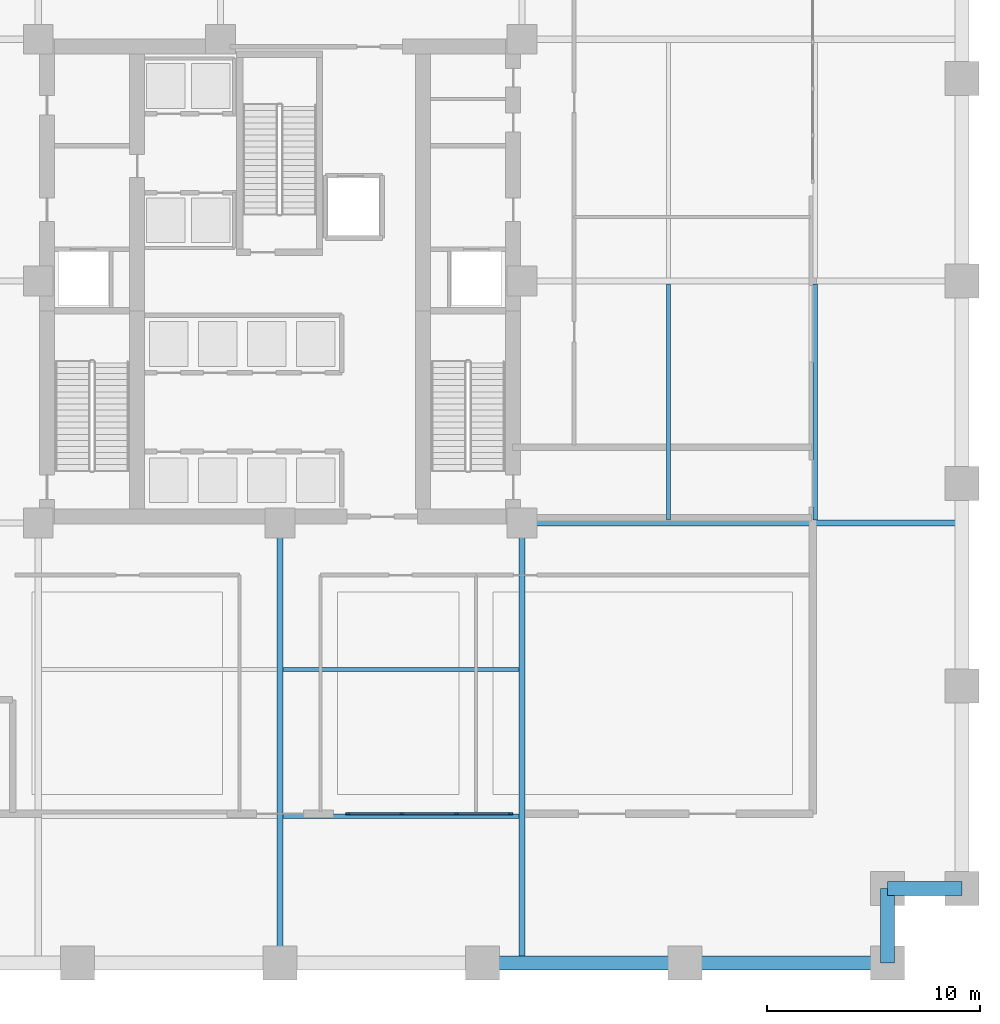
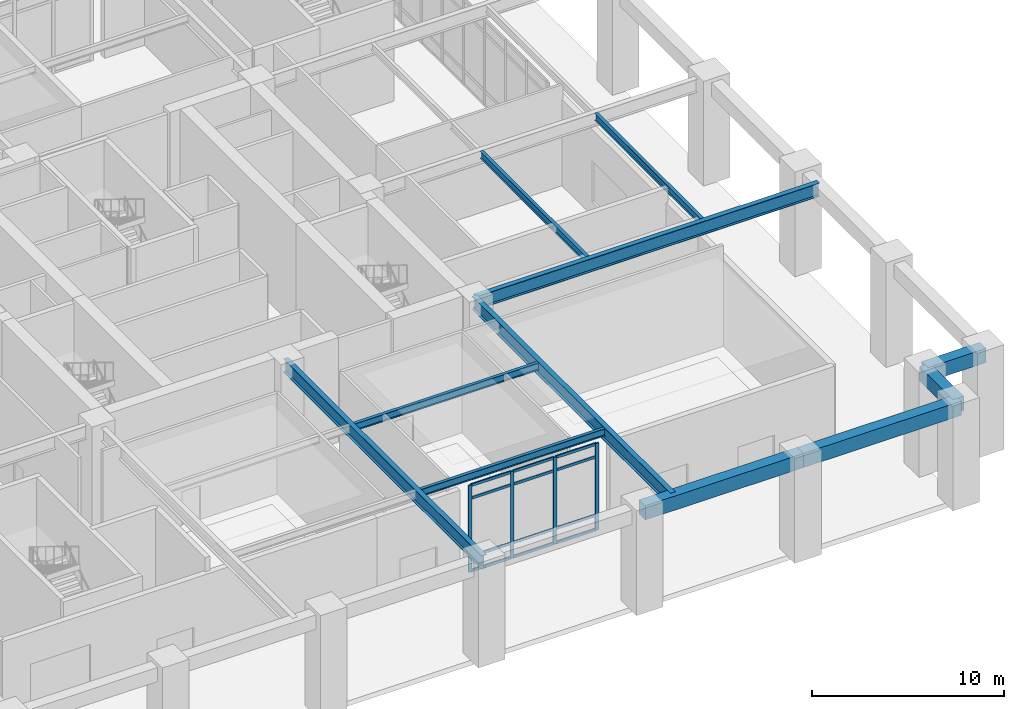
# One storey, part 2 of 17: 16 members, 11 beams, 1 element without a shape of its own.
"""IFC4 building model written with IfcOpenShell, lengths in metres."""

import ifcopenshell
import ifcopenshell.guid

model = None  # the IFC model being written
_history = None  # IfcOwnerHistory: only IFC2X3 demands one
_inside = {}  # id of a spatial element -> (the spatial element, [elements in it])
_under = {}  # id of a project, library or spatial element -> (it, [spatial elements below it])
_declared = {}  # id of a project -> (the project, [libraries it declares])
_typed = {}  # id of a type object -> (the type object, [elements of that type])
_made_of = {}  # id of a material, layer set ... -> (it, [elements and type objects made of it])


def new_model(schema):
    """Start an empty IFC model of exactly this schema.

    Asked for "IFC4X3", IfcOpenShell would pick the latest addendum, in which some entities
    have other attributes; the version numbers below select the first issue.
    IFC2X3 requires an IfcOwnerHistory on every rooted entity: one is made here for all.
    """
    global model, _history
    if schema == "IFC4X3":
        model = ifcopenshell.file(schema_version=(4, 3, 0, 0))
    else:
        model = ifcopenshell.file(schema=schema)
    _inside.clear()
    _under.clear()
    _declared.clear()
    _typed.clear()
    _made_of.clear()
    _history = None
    if model.schema == "IFC2X3":
        org = make("IfcOrganization", Name="unknown")
        user = make(
            "IfcPersonAndOrganization",
            ThePerson=make("IfcPerson", FamilyName="unknown"),
            TheOrganization=org,
        )
        app = make(
            "IfcApplication",
            ApplicationDeveloper=org,
            Version="unknown",
            ApplicationFullName="unknown",
            ApplicationIdentifier="unknown",
        )
        _history = make(
            "IfcOwnerHistory",
            OwningUser=user,
            OwningApplication=app,
            ChangeAction="ADDED",
            CreationDate=0,
        )
    return model


def make(cls, **values):
    """One entity of the class cls with the attributes given. An attribute that is None is left unset."""
    return model.create_entity(
        cls, **{name: value for name, value in values.items() if value is not None}
    )


def rooted(cls, **values):
    """An entity with a GlobalId (a new one), such as an element, a storey or a relation."""
    return make(cls, GlobalId=ifcopenshell.guid.new(), OwnerHistory=_history, **values)


def si_unit(unit_type, name, prefix=None):
    """IfcSIUnit, for example si_unit("LENGTHUNIT", "METRE", prefix="MILLI")."""
    return make("IfcSIUnit", UnitType=unit_type, Prefix=prefix, Name=name)


def assignment(units):
    """IfcUnitAssignment: the units of a project."""
    return None if units is None else make("IfcUnitAssignment", Units=units)


def point(xyz):
    """IfcCartesianPoint."""
    return None if xyz is None else make("IfcCartesianPoint", Coordinates=xyz)


def direction(xyz):
    """IfcDirection."""
    return None if xyz is None else make("IfcDirection", DirectionRatios=xyz)


def frame(location, z_axis=None, x_axis=None):
    """IfcAxis2Placement3D, a coordinate frame: its origin and axes. An axis left out is left unset."""
    return make(
        "IfcAxis2Placement3D",
        Location=point(location),
        Axis=direction(z_axis),
        RefDirection=direction(x_axis),
    )


def frame_2d(location, x_axis=None):
    """IfcAxis2Placement2D, a coordinate frame in the plane: its origin and x axis."""
    return make(
        "IfcAxis2Placement2D", Location=point(location), RefDirection=direction(x_axis)
    )


def origin():
    """The frame at (0, 0, 0) with its axes left unset."""
    return frame((0.0, 0.0, 0.0))


def origin_2d():
    """The frame at (0, 0) in the plane with its x axis left unset."""
    return frame_2d((0.0, 0.0))


def place(relative_to, where):
    """IfcLocalPlacement: puts the frame where relative to a parent placement (None: the world)."""
    return make(
        "IfcLocalPlacement", PlacementRelTo=relative_to, RelativePlacement=where
    )


def context(
    kind, dimensions, precision=None, world=None, true_north=None, identifier=None
):
    """IfcGeometricRepresentationContext, for example the 3D "Model" context."""
    return make(
        "IfcGeometricRepresentationContext",
        ContextIdentifier=identifier,
        ContextType=kind,
        CoordinateSpaceDimension=dimensions,
        Precision=precision,
        WorldCoordinateSystem=world,
        TrueNorth=true_north,
    )


def subcontext(parent, identifier, kind, view, scale=None):
    """IfcGeometricRepresentationSubContext, for example "Body" below "Model"."""
    return make(
        "IfcGeometricRepresentationSubContext",
        ContextIdentifier=identifier,
        ContextType=kind,
        ParentContext=parent,
        TargetScale=scale,
        TargetView=view,
    )


def project(units=None, contexts=None):
    """IfcProject with its units and contexts."""
    return rooted(
        "IfcProject",
        Name="project",
        RepresentationContexts=contexts,
        UnitsInContext=assignment(units),
    )


def spatial(cls, under=None, at=None, **own):
    """A site, building, storey or space (cls), placed at a placement, below another one or the project."""
    s = rooted(cls, ObjectPlacement=at, **own)
    if under is not None:
        _under.setdefault(under.id(), (under, []))[1].append(s)
    return s


def profile(cls, at=None, kind="AREA", **sizes):
    """A parametric profile (cls). Its sizes go by their IFC names, for example OverallWidth=200.0."""
    return make(cls, ProfileType=kind, Position=at, **sizes)


def rectangle(**sizes):
    """IfcRectangleProfileDef."""
    return profile("IfcRectangleProfileDef", **sizes)


def i_section(**sizes):
    """IfcIShapeProfileDef."""
    return profile("IfcIShapeProfileDef", **sizes)


def extrude(swept, where, along, depth):
    """IfcExtrudedAreaSolid: the profile swept, set in the frame where, extruded along a direction by depth."""
    return make(
        "IfcExtrudedAreaSolid",
        SweptArea=swept,
        Position=where,
        ExtrudedDirection=direction(along),
        Depth=depth,
    )


def shape(context_of_items, identifier, shape_type, items):
    """IfcShapeRepresentation: the items that make up one representation, for example the "Body"."""
    return make(
        "IfcShapeRepresentation",
        ContextOfItems=context_of_items,
        RepresentationIdentifier=identifier,
        RepresentationType=shape_type,
        Items=items,
    )


def material(Name=None, Category=None):
    """IfcMaterial."""
    return make("IfcMaterial", Name=Name, Category=Category)


def layer(
    of_material, thickness, ventilated=None, Name=None, Category=None, Priority=None
):
    """IfcMaterialLayer: one layer of a wall or slab, of a material (None: an air gap)."""
    return make(
        "IfcMaterialLayer",
        Material=of_material,
        LayerThickness=thickness,
        IsVentilated=ventilated,
        Name=Name,
        Category=Category,
        Priority=Priority,
    )


def layer_set(layers, Name=None):
    """IfcMaterialLayerSet."""
    return make("IfcMaterialLayerSet", MaterialLayers=layers, LayerSetName=Name)


def material_profile(
    of_material, cross_section, Name=None, Category=None, Priority=None
):
    """IfcMaterialProfile: a cross section and its material."""
    return make(
        "IfcMaterialProfile",
        Name=Name,
        Material=of_material,
        Profile=cross_section,
        Priority=Priority,
        Category=Category,
    )


def profile_set(profiles, Name=None, composite=None):
    """IfcMaterialProfileSet."""
    return make(
        "IfcMaterialProfileSet",
        Name=Name,
        MaterialProfiles=profiles,
        CompositeProfile=composite,
    )


def made_of(thing, what):
    """Note that an element or type object is made of a material, layer set ...; save() writes the relation."""
    if what is not None:
        _made_of.setdefault(what.id(), (what, []))[1].append(thing)
    return thing


def type_object(cls, material=None, **own):
    """A type object (cls), such as IfcWallType, which elements share."""
    return made_of(rooted(cls, **own), material)


def element(
    cls,
    number,
    at=None,
    inside=None,
    cuts=None,
    type_object=None,
    material=None,
    context=None,
    identifier="Body",
    shape_type=None,
    held_by="IfcProductDefinitionShape",
    body=None,
    shapes=None,
    **own,
):
    """One element of the class cls, such as IfcWall. Its Tag is "e" and its number.

    at: its placement. inside: the storey or other place that contains it. cuts: it is an
    opening in that element (IfcRelVoidsElement). A single representation is given by context,
    identifier, shape_type and body (its items); several are given by shapes. held_by: the class
    of the entity that holds the representations. save() writes the other relations.
    """
    e = rooted(cls, Tag="e%d" % number, ObjectPlacement=at, **own)
    if body is not None:
        shapes = [shape(context, identifier, shape_type, body)]
    if shapes is not None:
        e.Representation = make(held_by, Representations=shapes)
    if inside is not None:
        _inside.setdefault(inside.id(), (inside, []))[1].append(e)
    if cuts is not None:
        rooted(
            "IfcRelVoidsElement", RelatingBuildingElement=cuts, RelatedOpeningElement=e
        )
    if type_object is not None:
        _typed.setdefault(type_object.id(), (type_object, []))[1].append(e)
    return made_of(e, material)


def aggregate(whole, parts):
    """IfcRelAggregates: a whole, such as a stair, and the parts it consists of."""
    return rooted("IfcRelAggregates", RelatingObject=whole, RelatedObjects=parts)


def save(model, path):
    """Write the relations noted so far, then the file.

    IfcRelAggregates (storeys below a building ...), IfcRelContainedInSpatialStructure (elements
    in a storey), IfcRelDefinesByType, IfcRelAssociatesMaterial and IfcRelDeclares: one each for
    every whole, place, type object, material and project.
    """
    for whole, parts in _under.values():
        aggregate(whole, parts)
    for where, things in _inside.values():
        rooted(
            "IfcRelContainedInSpatialStructure",
            RelatedElements=things,
            RelatingStructure=where,
        )
    for kind, things in _typed.values():
        rooted("IfcRelDefinesByType", RelatedObjects=things, RelatingType=kind)
    for what, things in _made_of.values():
        rooted("IfcRelAssociatesMaterial", RelatedObjects=things, RelatingMaterial=what)
    for by, libraries in _declared.values():
        rooted("IfcRelDeclares", RelatingContext=by, RelatedDefinitions=libraries)
    model.write(path)


model = new_model("IFC4")

# Units and contexts
model_context = context("Model", 3, precision=1e-05, world=origin(), true_north=direction((0.0, 1.0)))
body_context = subcontext(model_context, "Body", "Model", "MODEL_VIEW")
ifc_project = project(units=[si_unit("LENGTHUNIT", "METRE"), si_unit("AREAUNIT", "SQUARE_METRE"), si_unit("VOLUMEUNIT", "CUBIC_METRE"), si_unit("PLANEANGLEUNIT", "RADIAN"), si_unit("MASSUNIT", "GRAM", prefix="KILO")], contexts=[model_context])

# Site, building, storey
site_placement = place(None, origin())
site = spatial("IfcSite", under=ifc_project, at=site_placement, CompositionType="ELEMENT")
building_placement = place(site_placement, origin())
building = spatial("IfcBuilding", under=site, at=building_placement, Name="Nhamokura Convention Tower", CompositionType="ELEMENT")
storey_placement = place(building_placement, origin())
storey = spatial("IfcBuildingStorey", under=building, at=storey_placement, Name="L00", CompositionType="ELEMENT", Elevation=0.0)

# Curtain wall, members
ifc_material_1 = material(Name="Anodised bronze aluminium AA6063-T6", Category="aluminium")
ifc_layer = layer(ifc_material_1, 0.179931640625)
ifc_layer_set = layer_set([ifc_layer], Name="CWSystem_PodiumConcourse")
curtain_wall_type = type_object("IfcCurtainWallType", Name="CWSystem_PodiumConcourse", PredefinedType="NOTDEFINED", material=ifc_layer_set)
curtain_wall_placement = place(storey_placement, origin())
curtain_wall = element("IfcCurtainWall", 1, at=curtain_wall_placement, inside=storey, type_object=curtain_wall_type, Name="L00 Curtain Wall ENV-L00-CW-SCW", PredefinedType="NOTDEFINED")
ifc_material_2 = material(Name="Anodised bronze aluminium AA6063-T6", Category="aluminium")
ifc_material_profile_1 = material_profile(ifc_material_2, rectangle(XDim=0.077880859375, YDim=0.201904296875, at=origin_2d()))
ifc_profile_set_1 = profile_set([ifc_material_profile_1], Name="Anodised bronze aluminium AA6063-T6")
member_type_1 = type_object("IfcMemberType", Name="CWMullion_1", PredefinedType="MULLION", material=ifc_profile_set_1)
member_1_placement = place(storey_placement, frame((42.81103515625, 7.0, 0.0), z_axis=(0.0, 0.0, 1.0), x_axis=(0.0, -1.0, 0.0)))
member_1 = element("IfcMember", 2, at=member_1_placement, type_object=member_type_1, Name="CW-01 mullion 1", PredefinedType="MULLION", context=body_context, shape_type="SweptSolid", body=[
    extrude(rectangle(XDim=0.077880859375, YDim=0.201904296875, at=origin_2d()), origin(), (0.0, 0.0, 1.0), 5.510009765625),
])
member_2_placement = place(storey_placement, frame((40.283447265625, 7.0, 0.0), z_axis=(0.0, 0.0, 1.0), x_axis=(0.0, -1.0, 0.0)))
member_2 = element("IfcMember", 3, at=member_2_placement, type_object=member_type_1, Name="CW-01 mullion 2", PredefinedType="MULLION", context=body_context, shape_type="SweptSolid", body=[
    extrude(rectangle(XDim=0.077880859375, YDim=0.201904296875, at=origin_2d()), origin(), (0.0, 0.0, 1.0), 5.510009765625),
])
member_3_placement = place(storey_placement, frame((37.716552734375, 7.0, 0.0), z_axis=(0.0, 0.0, 1.0), x_axis=(0.0, -1.0, 0.0)))
member_3 = element("IfcMember", 4, at=member_3_placement, type_object=member_type_1, Name="CW-01 mullion 3", PredefinedType="MULLION", context=body_context, shape_type="SweptSolid", body=[
    extrude(rectangle(XDim=0.077880859375, YDim=0.201904296875, at=origin_2d()), origin(), (0.0, 0.0, 1.0), 5.510009765625),
])
member_4_placement = place(storey_placement, frame((35.18896484375, 7.0, 0.0), z_axis=(0.0, 0.0, 1.0), x_axis=(0.0, -1.0, 0.0)))
member_4 = element("IfcMember", 5, at=member_4_placement, type_object=member_type_1, Name="CW-01 mullion 4", PredefinedType="MULLION", context=body_context, shape_type="SweptSolid", body=[
    extrude(rectangle(XDim=0.077880859375, YDim=0.201904296875, at=origin_2d()), origin(), (0.0, 0.0, 1.0), 5.510009765625),
])
ifc_material_3 = material(Name="Anodised bronze aluminium AA6063-T6", Category="aluminium")
ifc_material_profile_2 = material_profile(ifc_material_3, rectangle(XDim=0.077880859375, YDim=0.172119140625, at=origin_2d()))
ifc_profile_set_2 = profile_set([ifc_material_profile_2], Name="Anodised bronze aluminium AA6063-T6")
member_type_2 = type_object("IfcMemberType", Name="CWTransom_1", PredefinedType="USERDEFINED", material=ifc_profile_set_2)
member_5_placement = place(storey_placement, frame((42.77197265625, 7.0, 0.0390625), z_axis=(-1.0, 0.0, 0.0), x_axis=(0.0, -1.0, 0.0)))
member_5 = element("IfcMember", 6, at=member_5_placement, type_object=member_type_2, Name="CW-01 transom 1.1", ObjectType="TRANSOM", PredefinedType="USERDEFINED", context=body_context, shape_type="SweptSolid", body=[
    extrude(rectangle(XDim=0.077880859375, YDim=0.172119140625, at=origin_2d()), origin(), (0.0, 0.0, 1.0), 2.44970703125),
])
member_6_placement = place(storey_placement, frame((42.77197265625, 7.0, 0.949951171875), z_axis=(-1.0, 0.0, 0.0), x_axis=(0.0, -1.0, 0.0)))
member_6 = element("IfcMember", 7, at=member_6_placement, type_object=member_type_2, Name="CW-01 transom 1.2", ObjectType="TRANSOM", PredefinedType="USERDEFINED", context=body_context, shape_type="SweptSolid", body=[
    extrude(rectangle(XDim=0.077880859375, YDim=0.172119140625, at=origin_2d()), origin(), (0.0, 0.0, 1.0), 2.44970703125),
])
member_7_placement = place(storey_placement, frame((42.77197265625, 7.0, 4.659912109375), z_axis=(-1.0, 0.0, 0.0), x_axis=(0.0, -1.0, 0.0)))
member_7 = element("IfcMember", 8, at=member_7_placement, type_object=member_type_2, Name="CW-01 transom 1.3", ObjectType="TRANSOM", PredefinedType="USERDEFINED", context=body_context, shape_type="SweptSolid", body=[
    extrude(rectangle(XDim=0.077880859375, YDim=0.172119140625, at=origin_2d()), origin(), (0.0, 0.0, 1.0), 2.44970703125),
])
member_8_placement = place(storey_placement, frame((42.77197265625, 7.0, 5.470947265625), z_axis=(-1.0, 0.0, 0.0), x_axis=(0.0, -1.0, 0.0)))
member_8 = element("IfcMember", 9, at=member_8_placement, type_object=member_type_2, Name="CW-01 transom 1.4", ObjectType="TRANSOM", PredefinedType="USERDEFINED", context=body_context, shape_type="SweptSolid", body=[
    extrude(rectangle(XDim=0.077880859375, YDim=0.172119140625, at=origin_2d()), origin(), (0.0, 0.0, 1.0), 2.44970703125),
])
member_9_placement = place(storey_placement, frame((40.244384765625, 7.0, 0.0390625), z_axis=(-1.0, 0.0, 0.0), x_axis=(0.0, -1.0, 0.0)))
member_9 = element("IfcMember", 10, at=member_9_placement, type_object=member_type_2, Name="CW-01 transom 2.1", ObjectType="TRANSOM", PredefinedType="USERDEFINED", context=body_context, shape_type="SweptSolid", body=[
    extrude(rectangle(XDim=0.077880859375, YDim=0.172119140625, at=origin_2d()), origin(), (0.0, 0.0, 1.0), 2.48876953125),
])
member_10_placement = place(storey_placement, frame((40.244384765625, 7.0, 0.949951171875), z_axis=(-1.0, 0.0, 0.0), x_axis=(0.0, -1.0, 0.0)))
member_10 = element("IfcMember", 11, at=member_10_placement, type_object=member_type_2, Name="CW-01 transom 2.2", ObjectType="TRANSOM", PredefinedType="USERDEFINED", context=body_context, shape_type="SweptSolid", body=[
    extrude(rectangle(XDim=0.077880859375, YDim=0.172119140625, at=origin_2d()), origin(), (0.0, 0.0, 1.0), 2.48876953125),
])
member_11_placement = place(storey_placement, frame((40.244384765625, 7.0, 4.659912109375), z_axis=(-1.0, 0.0, 0.0), x_axis=(0.0, -1.0, 0.0)))
member_11 = element("IfcMember", 12, at=member_11_placement, type_object=member_type_2, Name="CW-01 transom 2.3", ObjectType="TRANSOM", PredefinedType="USERDEFINED", context=body_context, shape_type="SweptSolid", body=[
    extrude(rectangle(XDim=0.077880859375, YDim=0.172119140625, at=origin_2d()), origin(), (0.0, 0.0, 1.0), 2.48876953125),
])
member_12_placement = place(storey_placement, frame((40.244384765625, 7.0, 5.470947265625), z_axis=(-1.0, 0.0, 0.0), x_axis=(0.0, -1.0, 0.0)))
member_12 = element("IfcMember", 13, at=member_12_placement, type_object=member_type_2, Name="CW-01 transom 2.4", ObjectType="TRANSOM", PredefinedType="USERDEFINED", context=body_context, shape_type="SweptSolid", body=[
    extrude(rectangle(XDim=0.077880859375, YDim=0.172119140625, at=origin_2d()), origin(), (0.0, 0.0, 1.0), 2.48876953125),
])
member_13_placement = place(storey_placement, frame((37.677734375, 7.0, 0.0390625), z_axis=(-1.0, 0.0, 0.0), x_axis=(0.0, -1.0, 0.0)))
member_13 = element("IfcMember", 14, at=member_13_placement, type_object=member_type_2, Name="CW-01 transom 3.1", ObjectType="TRANSOM", PredefinedType="USERDEFINED", context=body_context, shape_type="SweptSolid", body=[
    extrude(rectangle(XDim=0.077880859375, YDim=0.172119140625, at=origin_2d()), origin(), (0.0, 0.0, 1.0), 2.44970703125),
])
member_14_placement = place(storey_placement, frame((37.677734375, 7.0, 0.949951171875), z_axis=(-1.0, 0.0, 0.0), x_axis=(0.0, -1.0, 0.0)))
member_14 = element("IfcMember", 15, at=member_14_placement, type_object=member_type_2, Name="CW-01 transom 3.2", ObjectType="TRANSOM", PredefinedType="USERDEFINED", context=body_context, shape_type="SweptSolid", body=[
    extrude(rectangle(XDim=0.077880859375, YDim=0.172119140625, at=origin_2d()), origin(), (0.0, 0.0, 1.0), 2.44970703125),
])
member_15_placement = place(storey_placement, frame((37.677734375, 7.0, 4.659912109375), z_axis=(-1.0, 0.0, 0.0), x_axis=(0.0, -1.0, 0.0)))
member_15 = element("IfcMember", 16, at=member_15_placement, type_object=member_type_2, Name="CW-01 transom 3.3", ObjectType="TRANSOM", PredefinedType="USERDEFINED", context=body_context, shape_type="SweptSolid", body=[
    extrude(rectangle(XDim=0.077880859375, YDim=0.172119140625, at=origin_2d()), origin(), (0.0, 0.0, 1.0), 2.44970703125),
])
member_16_placement = place(storey_placement, frame((37.677734375, 7.0, 5.470947265625), z_axis=(-1.0, 0.0, 0.0), x_axis=(0.0, -1.0, 0.0)))
member_16 = element("IfcMember", 17, at=member_16_placement, type_object=member_type_2, Name="CW-01 transom 3.4", ObjectType="TRANSOM", PredefinedType="USERDEFINED", context=body_context, shape_type="SweptSolid", body=[
    extrude(rectangle(XDim=0.077880859375, YDim=0.172119140625, at=origin_2d()), origin(), (0.0, 0.0, 1.0), 2.44970703125),
])
aggregate(curtain_wall, [member_1, member_2, member_3, member_4, member_5, member_6, member_7, member_8, member_9, member_10, member_11, member_12, member_13, member_14, member_15, member_16])

# Beams
ifc_material_4 = material(Name="Steel ASTM A992 Gr 50", Category="steel")
ifc_material_profile_3 = material_profile(ifc_material_4, i_section(OverallWidth=0.19189453125, OverallDepth=0.462890625, WebThickness=0.010498046875, FlangeThickness=0.017578125, at=origin_2d()))
ifc_profile_set_3 = profile_set([ifc_material_profile_3], Name="Steel ASTM A992 Gr 50")
beam_type_1 = type_object("IfcBeamType", Name="FloorJoist_W460X89", PredefinedType="JOIST", material=ifc_profile_set_3)
for number, where, z_axis, x_axis, name in (
    (18, (32.14501953125, 6.88330078125, 6.178466796875), (1.0, 0.0, 0.0), (0.0, 1.0, 0.0), "L00 Composite Floor Joist S1B"),
    (19, (32.14501953125, 13.7666015625, 6.178466796875), (1.0, 0.0, 0.0), (0.0, 1.0, 0.0), "L00 Composite Floor Joist S2B"),
    (20, (50.2333984375, 20.794921875, 6.178466796875), (0.0, 1.0, 0.0), (-1.0, 0.0, 0.0), "L00 Composite Floor Joist E1A"),
    (21, (57.11669921875, 20.794921875, 6.178466796875), (0.0, 1.0, 0.0), (-1.0, 0.0, 0.0), "L00 Composite Floor Joist E2A"),
):
    element("IfcBeam", number, at=place(storey_placement, frame(where, z_axis=z_axis, x_axis=x_axis)), inside=storey, type_object=beam_type_1, Name=name, PredefinedType="JOIST", context=body_context, shape_type="SweptSolid", body=[
        extrude(i_section(OverallWidth=0.19189453125, OverallDepth=0.462890625, WebThickness=0.010498046875, FlangeThickness=0.017578125, at=origin_2d()), origin(), (0.0, 0.0, 1.0), 11.06005859375),
    ])
ifc_material_5 = material(Name="Steel ASTM A992 Gr 50", Category="steel")
ifc_material_profile_4 = material_profile(ifc_material_5, i_section(OverallWidth=0.2939453125, OverallDepth=0.85107421875, WebThickness=0.01611328125, FlangeThickness=0.02685546875, at=origin_2d()))
ifc_profile_set_4 = profile_set([ifc_material_profile_4], Name="Steel ASTM A992 Gr 50")
beam_type_2 = type_object("IfcBeamType", Name="HallGirder_W840X226", PredefinedType="BEAM", material=ifc_profile_set_4)
for number, where, z_axis, x_axis, name in (
    (22, (32.0, 0.0, 5.984619140625), (0.0, 1.0, 0.0), (-1.0, 0.0, 0.0), "L00 Primary Floor Girder PG-S2"),
    (23, (43.35009765625, 0.0, 5.984619140625), (0.0, 1.0, 0.0), (-1.0, 0.0, 0.0), "L00 Primary Floor Girder PG-S3"),
    (24, (43.35009765625, 20.64990234375, 5.984619140625), (1.0, 0.0, 0.0), (0.0, 1.0, 0.0), "L00 Primary Floor Girder PG-E1"),
):
    element("IfcBeam", number, at=place(storey_placement, frame(where, z_axis=z_axis, x_axis=x_axis)), inside=storey, type_object=beam_type_2, Name=name, PredefinedType="BEAM", context=body_context, shape_type="SweptSolid", body=[
        extrude(i_section(OverallWidth=0.2939453125, OverallDepth=0.85107421875, WebThickness=0.01611328125, FlangeThickness=0.02685546875, at=origin_2d()), origin(), (0.0, 0.0, 1.0), 20.64990234375),
    ])
ifc_material_6 = material(Name="Concrete C60/75", Category="concrete")
ifc_material_profile_5 = material_profile(ifc_material_6, rectangle(XDim=0.64990234375, YDim=0.89990234375, at=origin_2d()))
ifc_profile_set_5 = profile_set([ifc_material_profile_5], Name="Concrete C60/75")
beam_type_3 = type_object("IfcBeamType", Name="TubeSpandrel_900", PredefinedType="SPANDREL", material=ifc_profile_set_5)
for number, where, z_axis, x_axis, name in (
    (25, (41.5, 0.0, 5.9599609375), (1.0, 0.0, 0.0), (0.0, 1.0, 0.0), "L00 Perimeter Spandrel SOUTH 5"),
    (26, (51.0, 0.0, 5.9599609375), (1.0, 0.0, 0.0), (0.0, 1.0, 0.0), "L00 Perimeter Spandrel SOUTH 6"),
):
    element("IfcBeam", number, at=place(storey_placement, frame(where, z_axis=z_axis, x_axis=x_axis)), inside=storey, type_object=beam_type_3, Name=name, PredefinedType="SPANDREL", context=body_context, shape_type="SweptSolid", body=[
        extrude(rectangle(XDim=0.64990234375, YDim=0.89990234375, at=origin_2d()), origin(), (0.0, 0.0, 1.0), 9.5),
    ])
for number, where, z_axis, x_axis, name in (
    (27, (60.5, 0.0, 5.9599609375), (0.0, 1.0, 0.0), (-1.0, 0.0, 0.0), "L00 Notch Spandrel SE1"),
    (28, (60.5, 3.5, 5.9599609375), (1.0, 0.0, 0.0), (0.0, 1.0, 0.0), "L00 Notch Spandrel SE2"),
):
    element("IfcBeam", number, at=place(storey_placement, frame(where, z_axis=z_axis, x_axis=x_axis)), inside=storey, type_object=beam_type_3, Name=name, PredefinedType="SPANDREL", context=body_context, shape_type="SweptSolid", body=[
        extrude(rectangle(XDim=0.64990234375, YDim=0.89990234375, at=origin_2d()), origin(), (0.0, 0.0, 1.0), 3.5),
    ])

save(model, "model.ifc")
